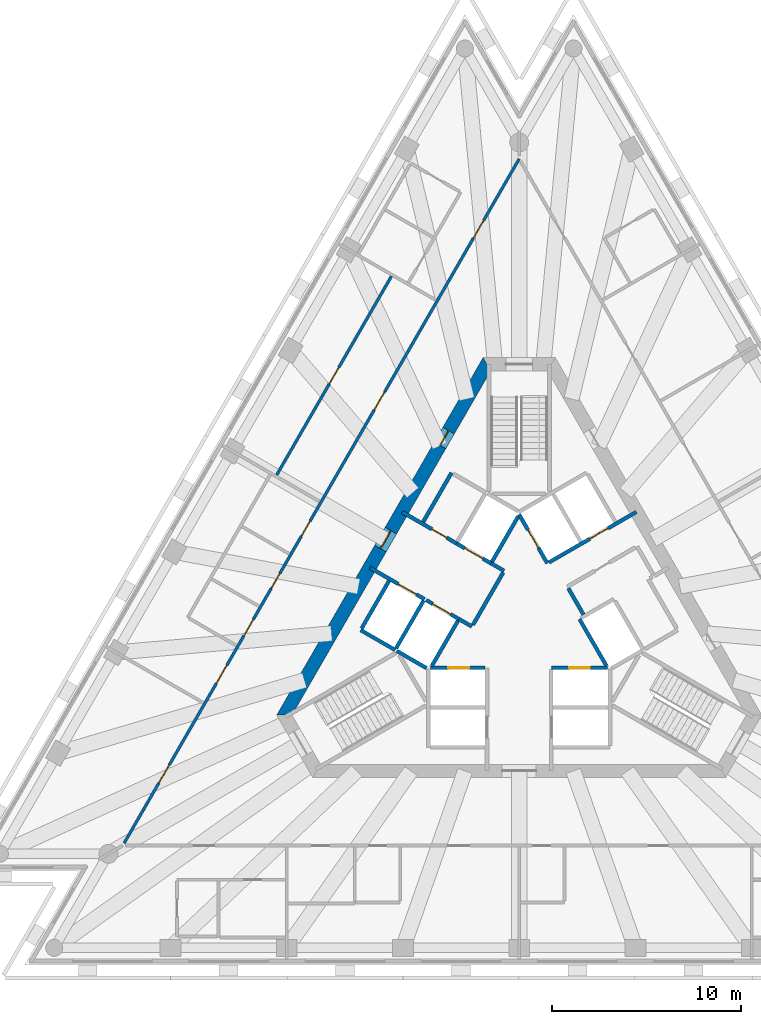
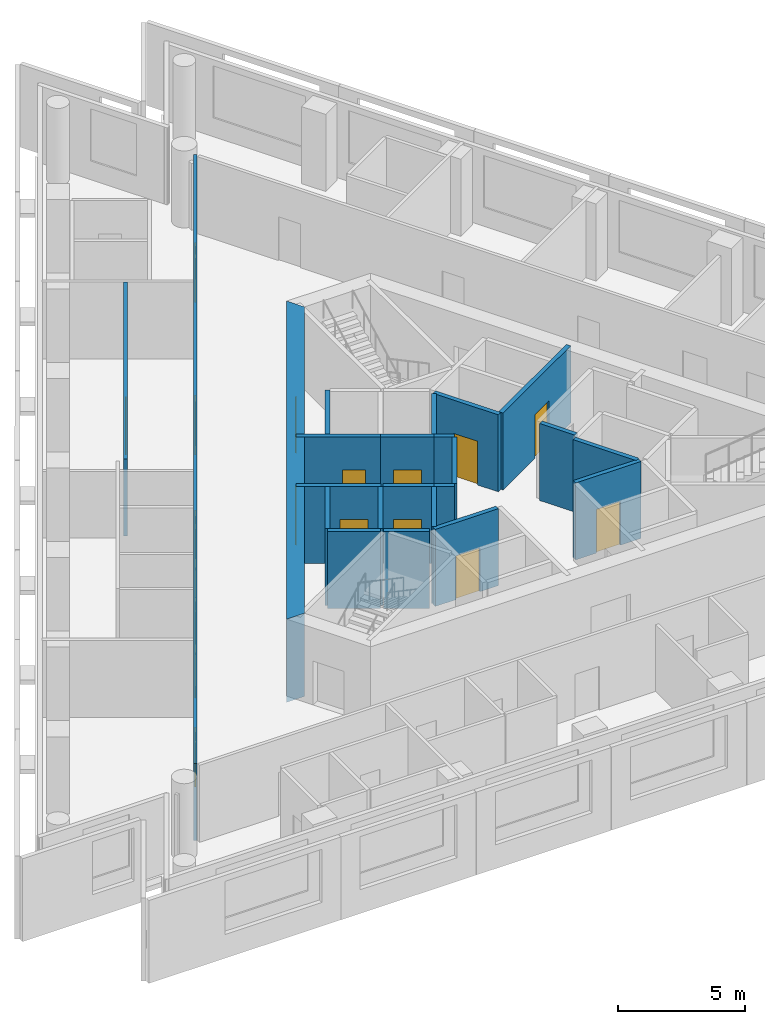
# One storey, part 4 of 9: 23 walls, 18 doors, 18 openings.
"""IFC4 building model written with IfcOpenShell, lengths in metres."""

from ifc_helpers import new_model, si_unit, direction, frame, frame_2d, origin, place, context, subcontext, project, spatial, polyline, rectangle, outline, extrude, material, layer, layer_set, type_object, element, fill, save


model = new_model("IFC4")

# Units and contexts
model_context = context("Model", 3, precision=1e-05, world=origin(), true_north=direction((0.0, 1.0)))
body_context = subcontext(model_context, "Body", "Model", "MODEL_VIEW")
ifc_project = project(units=[si_unit("LENGTHUNIT", "METRE"), si_unit("AREAUNIT", "SQUARE_METRE"), si_unit("VOLUMEUNIT", "CUBIC_METRE"), si_unit("PLANEANGLEUNIT", "RADIAN"), si_unit("MASSUNIT", "GRAM", prefix="KILO")], contexts=[model_context])

# Site, building, storey
site_placement = place(None, origin())
site = spatial("IfcSite", under=ifc_project, at=site_placement, CompositionType="ELEMENT")
building_placement = place(site_placement, origin())
building = spatial("IfcBuilding", under=site, at=building_placement, Name="Triada Interchange Tower", CompositionType="ELEMENT")
storey_placement = place(building_placement, frame((0.0, 0.0, 211.300048828125)))
storey = spatial("IfcBuildingStorey", under=building, at=storey_placement, Name="L49", CompositionType="ELEMENT", Elevation=211.300048828125)

# Walls
ifc_material_1 = material(Name="Concrete C30/37", Category="concrete")
ifc_layer_1 = layer(ifc_material_1, 0.199951171875)
ifc_layer_set_1 = layer_set([ifc_layer_1], Name="CORE WALL 200 EI 120")
wall_type_1 = type_object("IfcWallType", Name="CORE WALL 200 EI 120", PredefinedType="SOLIDWALL", material=ifc_layer_set_1)
wall_1_placement = place(storey_placement, frame((-8.3759765625, -0.70703125, 0.0), z_axis=(0.0, 0.0, 1.0), x_axis=(0.866067520717, -0.499927044236, 0.0)))
element("IfcWall", 1, at=wall_1_placement, inside=storey, type_object=wall_type_1, Name="Wall L47 53", PredefinedType="SOLIDWALL", context=body_context, shape_type="SweptSolid", body=[
    extrude(rectangle(XDim=2.100341796875, YDim=0.199951171875, at=frame_2d((1.05029296875, 0.0))), origin(), (0.0, 0.0, 1.0), 3.699951171875),
])
wall_2_placement = place(storey_placement, frame((-8.325927734375, -0.6201171875, 0.0), z_axis=(0.0, 0.0, 1.0), x_axis=(0.500023687443, 0.866011727401, 0.0)))
element("IfcWall", 2, at=wall_2_placement, inside=storey, type_object=wall_type_1, Name="Wall L47 54", PredefinedType="SOLIDWALL", context=body_context, shape_type="SweptSolid", body=[
    extrude(rectangle(XDim=2.899658203125, YDim=0.199951171875, at=frame_2d((1.44970703125, 0.0))), origin(), (0.0, 0.0, 1.0), 3.699951171875),
])

# Wall, opening, door
wall_3_placement = place(storey_placement, frame((-4.676025390625, -2.699951171875, 0.0), z_axis=(0.0, 0.0, 1.0), x_axis=(1.0, 0.0, 0.0)))
wall_3 = element("IfcWall", 3, at=wall_3_placement, inside=storey, type_object=wall_type_1, Name="Wall L47 61", PredefinedType="SOLIDWALL", context=body_context, shape_type="SweptSolid", body=[
    extrude(rectangle(XDim=2.873046875, YDim=0.199951171875, at=frame_2d((1.4365234375, 0.0))), origin(), (0.0, 0.0, 1.0), 3.699951171875),
])
opening_1_placement = place(wall_3_placement, frame((0.93701171875, 0.0, 0.0)))
opening_1 = element("IfcOpeningElement", 4, at=opening_1_placement, cuts=wall_3, Name="Opening LD-HR3", PredefinedType="OPENING", context=body_context, shape_type="SweptSolid", body=[
    extrude(rectangle(XDim=1.10009765625, YDim=2.10009765625, at=frame_2d((0.550048828125, 1.050048828125))), frame((0.0, 0.10986328125, 0.0), z_axis=(0.0, -1.0, 0.0), x_axis=(1.0, 0.0, 0.0)), (0.0, 0.0, 1.0), 0.219970703125),
])
ifc_material_2 = material(Name="Steel S235 door leaf", Category="steel")
door_type_1 = type_object("IfcDoorType", Name="LIFT LANDING DOOR 1100 EI 120", OperationType="SLIDING_TO_LEFT", PredefinedType="DOOR", material=ifc_material_2)
door_1_placement = place(opening_1_placement, origin())
door_1 = element("IfcDoor", 5, at=door_1_placement, inside=storey, type_object=door_type_1, Name="HR3 landing door L49", OperationType="SLIDING_TO_LEFT", OverallHeight=2.10009765625, OverallWidth=1.10009765625, PredefinedType="DOOR", context=body_context, shape_type="SweptSolid", body=[
    extrude(rectangle(XDim=1.10009765625, YDim=2.10009765625, at=frame_2d((0.550048828125, 1.050048828125))), frame((0.0, 0.02490234375, 0.0), z_axis=(0.0, -1.0, 0.0), x_axis=(1.0, 0.0, 0.0)), (0.0, 0.0, 1.0), 0.050048828125),
])
fill(opening_1, door_1)

wall_4_placement = place(storey_placement, frame((1.702880859375, -2.699951171875, 0.0), z_axis=(0.0, 0.0, 1.0), x_axis=(1.0, 0.0, 0.0)))
wall_4 = element("IfcWall", 6, at=wall_4_placement, inside=storey, type_object=wall_type_1, Name="Wall L47 62", PredefinedType="SOLIDWALL", context=body_context, shape_type="SweptSolid", body=[
    extrude(rectangle(XDim=2.97314453125, YDim=0.199951171875, at=frame_2d((1.486572265625, 0.0))), origin(), (0.0, 0.0, 1.0), 3.699951171875),
])
opening_2_placement = place(wall_4_placement, frame((0.93603515625, 0.0, 0.0)))
opening_2 = element("IfcOpeningElement", 7, at=opening_2_placement, cuts=wall_4, Name="Opening LD-HR1", PredefinedType="OPENING", context=body_context, shape_type="SweptSolid", body=[
    extrude(rectangle(XDim=1.10009765625, YDim=2.10009765625, at=frame_2d((0.550048828125, 1.050048828125))), frame((0.0, 0.10986328125, 0.0), z_axis=(0.0, -1.0, 0.0), x_axis=(1.0, 0.0, 0.0)), (0.0, 0.0, 1.0), 0.219970703125),
])
door_2_placement = place(opening_2_placement, origin())
door_2 = element("IfcDoor", 8, at=door_2_placement, inside=storey, type_object=door_type_1, Name="HR1 landing door L49", OperationType="SLIDING_TO_LEFT", OverallHeight=2.10009765625, OverallWidth=1.10009765625, PredefinedType="DOOR", context=body_context, shape_type="SweptSolid", body=[
    extrude(rectangle(XDim=1.10009765625, YDim=2.10009765625, at=frame_2d((0.550048828125, 1.050048828125))), frame((0.0, 0.02490234375, 0.0), z_axis=(0.0, -1.0, 0.0), x_axis=(1.0, 0.0, 0.0)), (0.0, 0.0, 1.0), 0.050048828125),
])
fill(opening_2, door_2)

wall_5_placement = place(storey_placement, frame((0.0, 5.39990234375, 0.0), z_axis=(0.0, 0.0, 1.0), x_axis=(0.500103862429, -0.865965430478, 0.0)))
wall_5 = element("IfcWall", 9, at=wall_5_placement, inside=storey, type_object=wall_type_1, Name="Wall L47 64", PredefinedType="SOLIDWALL", context=body_context, shape_type="SweptSolid", body=[
    extrude(rectangle(XDim=2.973388671875, YDim=0.199951171875, at=frame_2d((1.48681640625, 0.0))), origin(), (0.0, 0.0, 1.0), 3.699951171875),
])
opening_3_placement = place(wall_5_placement, frame((0.93701171875, 0.0, 0.0)))
opening_3 = element("IfcOpeningElement", 10, at=opening_3_placement, cuts=wall_5, Name="Opening LD-HR5", PredefinedType="OPENING", context=body_context, shape_type="SweptSolid", body=[
    extrude(rectangle(XDim=1.10009765625, YDim=2.10009765625, at=frame_2d((0.550048828125, 1.050048828125))), frame((0.0, 0.10986328125, 0.0), z_axis=(0.0, -1.0, 0.0), x_axis=(1.0, 0.0, 0.0)), (0.0, 0.0, 1.0), 0.219970703125),
])
door_3_placement = place(opening_3_placement, origin())
door_3 = element("IfcDoor", 11, at=door_3_placement, inside=storey, type_object=door_type_1, Name="HR5 landing door L49", OperationType="SLIDING_TO_LEFT", OverallHeight=2.10009765625, OverallWidth=1.10009765625, PredefinedType="DOOR", context=body_context, shape_type="SweptSolid", body=[
    extrude(rectangle(XDim=1.10009765625, YDim=2.10009765625, at=frame_2d((0.550048828125, 1.050048828125))), frame((0.0, 0.02490234375, 0.0), z_axis=(0.0, -1.0, 0.0), x_axis=(1.0, 0.0, 0.0)), (0.0, 0.0, 1.0), 0.050048828125),
])
fill(opening_3, door_3)

# Wall
wall_6_placement = place(storey_placement, frame((3.18994140625, -0.125, 0.0), z_axis=(0.0, 0.0, 1.0), x_axis=(0.499988658015, -0.866031951983, 0.0)))
element("IfcWall", 12, at=wall_6_placement, inside=storey, type_object=wall_type_1, Name="Wall L47 65", PredefinedType="SOLIDWALL", context=body_context, shape_type="SweptSolid", body=[
    extrude(rectangle(XDim=2.85791015625, YDim=0.199951171875, at=frame_2d((1.428955078125, 0.0))), origin(), (0.0, 0.0, 1.0), 3.699951171875),
])

# Wall, opening, door
wall_7_placement = place(storey_placement, frame((1.577880859375, 2.8740234375, 0.0), z_axis=(0.0, 0.0, 1.0), x_axis=(0.866045911672, 0.499964477614, 0.0)))
wall_7 = element("IfcWall", 13, at=wall_7_placement, inside=storey, type_object=wall_type_1, Name="Wall L47 66", PredefinedType="SOLIDWALL", context=body_context, shape_type="SweptSolid", body=[
    extrude(rectangle(XDim=5.32666015625, YDim=0.199951171875, at=frame_2d((2.663330078125, 0.0))), origin(), (0.0, 0.0, 1.0), 3.699951171875),
])
opening_4_placement = place(wall_7_placement, frame((2.49609375, 0.0, 0.0)))
opening_4 = element("IfcOpeningElement", 14, at=opening_4_placement, cuts=wall_7, Name="Opening LD-HR6", PredefinedType="OPENING", context=body_context, shape_type="SweptSolid", body=[
    extrude(rectangle(XDim=1.10009765625, YDim=2.10009765625, at=frame_2d((0.550048828125, 1.050048828125))), frame((0.0, 0.10986328125, 0.0), z_axis=(0.0, -1.0, 0.0), x_axis=(1.0, 0.0, 0.0)), (0.0, 0.0, 1.0), 0.219970703125),
])
door_4_placement = place(opening_4_placement, origin())
door_4 = element("IfcDoor", 15, at=door_4_placement, inside=storey, type_object=door_type_1, Name="HR6 landing door L49", OperationType="SLIDING_TO_LEFT", OverallHeight=2.10009765625, OverallWidth=1.10009765625, PredefinedType="DOOR", context=body_context, shape_type="SweptSolid", body=[
    extrude(rectangle(XDim=1.10009765625, YDim=2.10009765625, at=frame_2d((0.550048828125, 1.050048828125))), frame((0.0, 0.02490234375, 0.0), z_axis=(0.0, -1.0, 0.0), x_axis=(1.0, 0.0, 0.0)), (0.0, 0.0, 1.0), 0.050048828125),
])
fill(opening_4, door_4)

# Wall
wall_8_placement = place(storey_placement, frame((2.597900390625, 1.5, 0.0), z_axis=(0.0, 0.0, 1.0), x_axis=(0.499929347863, -0.866066190972, 0.0)))
element("IfcWall", 16, at=wall_8_placement, inside=storey, type_object=wall_type_1, Name="Wall L47 77", PredefinedType="SOLIDWALL", context=body_context, shape_type="SweptSolid", body=[
    extrude(rectangle(XDim=1.600341796875, YDim=0.199951171875, at=frame_2d((0.80029296875, 0.0))), origin(), (0.0, 0.0, 1.0), 3.699951171875),
])

# Wall, opening, door
ifc_layer_2 = layer(ifc_material_1, 0.199951171875)
ifc_layer_set_2 = layer_set([ifc_layer_2], Name="CORE WALL 200 EI 180")
wall_type_2 = type_object("IfcWallType", Name="CORE WALL 200 EI 180", PredefinedType="SOLIDWALL", material=ifc_layer_set_2)
wall_9_placement = place(storey_placement, frame((-7.89111328125, 2.593017578125, 0.0), z_axis=(0.0, 0.0, 1.0), x_axis=(0.866070917804, -0.499921159118, 0.0)))
wall_9 = element("IfcWall", 17, at=wall_9_placement, inside=storey, type_object=wall_type_2, Name="Wall L47 78", PredefinedType="SOLIDWALL", context=body_context, shape_type="SweptSolid", body=[
    extrude(rectangle(XDim=3.33251953125, YDim=0.199951171875, at=frame_2d((1.666259765625, 0.0))), origin(), (0.0, 0.0, 1.0), 3.699951171875),
])
opening_5_placement = place(wall_9_placement, frame((1.72998046875, 0.0, 0.0)))
opening_5 = element("IfcOpeningElement", 18, at=opening_5_placement, cuts=wall_9, Name="Opening LD-SV1", PredefinedType="OPENING", context=body_context, shape_type="SweptSolid", body=[
    extrude(rectangle(XDim=1.10009765625, YDim=2.10009765625, at=frame_2d((0.550048828125, 1.050048828125))), frame((0.0, 0.10986328125, 0.0), z_axis=(0.0, -1.0, 0.0), x_axis=(1.0, 0.0, 0.0)), (0.0, 0.0, 1.0), 0.219970703125),
])
door_5_placement = place(opening_5_placement, origin())
door_5 = element("IfcDoor", 19, at=door_5_placement, inside=storey, type_object=door_type_1, Name="SV1 landing door L49", OperationType="SLIDING_TO_LEFT", OverallHeight=2.10009765625, OverallWidth=1.10009765625, PredefinedType="DOOR", context=body_context, shape_type="SweptSolid", body=[
    extrude(rectangle(XDim=1.10009765625, YDim=2.10009765625, at=frame_2d((0.550048828125, 1.050048828125))), frame((0.0, 0.02490234375, 0.0), z_axis=(0.0, -1.0, 0.0), x_axis=(1.0, 0.0, 0.0)), (0.0, 0.0, 1.0), 0.050048828125),
])
fill(opening_5, door_5)

# Wall
wall_10_placement = place(storey_placement, frame((-3.18798828125, -0.1220703125, 0.0), z_axis=(0.0, 0.0, 1.0), x_axis=(0.865705793592, -0.50055317294, 0.0)))
element("IfcWall", 20, at=wall_10_placement, inside=storey, type_object=wall_type_2, Name="Wall L47 79", PredefinedType="SOLIDWALL", context=body_context, shape_type="SweptSolid", body=[
    extrude(rectangle(XDim=0.796875, YDim=0.199951171875, at=frame_2d((0.3984375, 0.0))), origin(), (0.0, 0.0, 1.0), 3.699951171875),
])

# Wall, opening, door
wall_11_placement = place(storey_placement, frame((-6.19091796875, 5.537109375, 0.0), z_axis=(0.0, 0.0, 1.0), x_axis=(0.866052607023, -0.499952879648, 0.0)))
wall_11 = element("IfcWall", 21, at=wall_11_placement, inside=storey, type_object=wall_type_2, Name="Wall L47 80", PredefinedType="SOLIDWALL", context=body_context, shape_type="SweptSolid", body=[
    extrude(rectangle(XDim=3.332275390625, YDim=0.199951171875, at=frame_2d((1.666015625, 0.0))), origin(), (0.0, 0.0, 1.0), 3.699951171875),
])
opening_6_placement = place(wall_11_placement, frame((1.830078125, 0.0, 0.0)))
opening_6 = element("IfcOpeningElement", 22, at=opening_6_placement, cuts=wall_11, Name="Opening D47-10", PredefinedType="OPENING", context=body_context, shape_type="SweptSolid", body=[
    extrude(rectangle(XDim=0.89990234375, YDim=2.10009765625, at=frame_2d((0.449951171875, 1.050048828125))), frame((0.0, 0.10986328125, 0.0), z_axis=(0.0, -1.0, 0.0), x_axis=(1.0, 0.0, 0.0)), (0.0, 0.0, 1.0), 0.219970703125),
])
door_type_2 = type_object("IfcDoorType", Name="SERVICE DOOR 900 EI2 90-C5S200", OperationType="NOTDEFINED", PredefinedType="DOOR", material=ifc_material_2)
door_6_placement = place(opening_6_placement, origin())
door_6 = element("IfcDoor", 23, at=door_6_placement, inside=storey, type_object=door_type_2, Name="Door D47-10 L49", OperationType="SINGLE_SWING_LEFT", OverallHeight=2.10009765625, OverallWidth=0.89990234375, PredefinedType="DOOR", context=body_context, shape_type="SweptSolid", body=[
    extrude(rectangle(XDim=0.89990234375, YDim=2.10009765625, at=frame_2d((0.449951171875, 1.050048828125))), frame((0.0, 0.02490234375, 0.0), z_axis=(0.0, -1.0, 0.0), x_axis=(1.0, 0.0, 0.0)), (0.0, 0.0, 1.0), 0.050048828125),
])
fill(opening_6, door_6)

# Walls
wall_12_placement = place(storey_placement, frame((-1.488037109375, 2.822021484375, 0.0), z_axis=(0.0, 0.0, 1.0), x_axis=(0.866236612152, -0.499633997809, 0.0)))
element("IfcWall", 24, at=wall_12_placement, inside=storey, type_object=wall_type_2, Name="Wall L47 81", PredefinedType="SOLIDWALL", context=body_context, shape_type="SweptSolid", body=[
    extrude(rectangle(XDim=0.79638671875, YDim=0.199951171875, at=frame_2d((0.398193359375, 0.0))), origin(), (0.0, 0.0, 1.0), 3.699951171875),
])
wall_13_placement = place(storey_placement, frame((-5.075927734375, 5.009033203125, 0.0), z_axis=(0.0, 0.0, 1.0), x_axis=(0.50002537861, 0.866010750942, 0.0)))
element("IfcWall", 25, at=wall_13_placement, inside=storey, type_object=wall_type_2, Name="Wall L47 82", PredefinedType="SOLIDWALL", context=body_context, shape_type="SweptSolid", body=[
    extrude(rectangle(XDim=2.999755859375, YDim=0.199951171875, at=frame_2d((1.5, 0.0))), origin(), (0.0, 0.0, 1.0), 3.699951171875),
])
wall_14_placement = place(storey_placement, frame((-2.444091796875, -0.43310546875, 0.0), z_axis=(0.0, 0.0, 1.0), x_axis=(0.500035624827, 0.866004834804, 0.0)))
element("IfcWall", 26, at=wall_14_placement, inside=storey, type_object=wall_type_2, Name="Wall L47 84", PredefinedType="SOLIDWALL", context=body_context, shape_type="SweptSolid", body=[
    extrude(rectangle(XDim=3.194091796875, YDim=0.199951171875, at=frame_2d((1.59716796875, 0.0))), origin(), (0.0, 0.0, 1.0), 3.699951171875),
])
wall_15_placement = place(storey_placement, frame((-6.507080078125, -1.669921875, 0.0), z_axis=(0.0, 0.0, 1.0), x_axis=(0.50012328804, 0.865954211699, 0.0)))
element("IfcWall", 27, at=wall_15_placement, inside=storey, type_object=wall_type_2, Name="Shaft wall FF1 L47 85", PredefinedType="SOLIDWALL", context=body_context, shape_type="SweptSolid", body=[
    extrude(rectangle(XDim=2.899658203125, YDim=0.199951171875, at=frame_2d((1.44970703125, 0.0))), origin(), (0.0, 0.0, 1.0), 3.699951171875),
])
wall_16_placement = place(storey_placement, frame((-6.469970703125, -1.806884765625, 0.0), z_axis=(0.0, 0.0, 1.0), x_axis=(0.865883195159, -0.500246231712, 0.0)))
element("IfcWall", 28, at=wall_16_placement, inside=storey, type_object=wall_type_2, Name="Shaft wall FF1 L47 86", PredefinedType="SOLIDWALL", context=body_context, shape_type="SweptSolid", body=[
    extrude(rectangle(XDim=1.8154296875, YDim=0.199951171875, at=frame_2d((0.90771484375, 0.0))), origin(), (0.0, 0.0, 1.0), 3.699951171875),
])

# Wall, opening, door
wall_17_placement = place(storey_placement, frame((-4.922119140625, 0.87890625, 0.0), z_axis=(0.0, 0.0, 1.0), x_axis=(0.866073918653, -0.499915960366, 0.0)))
wall_17 = element("IfcWall", 29, at=wall_17_placement, inside=storey, type_object=wall_type_2, Name="Shaft wall FF1 L47 87", PredefinedType="SOLIDWALL", context=body_context, shape_type="SweptSolid", body=[
    extrude(rectangle(XDim=2.002197265625, YDim=0.199951171875, at=frame_2d((1.0009765625, 0.0))), origin(), (0.0, 0.0, 1.0), 3.699951171875),
])
opening_7_placement = place(wall_17_placement, frame((0.402099609375, 0.0, 0.0)))
opening_7 = element("IfcOpeningElement", 30, at=opening_7_placement, cuts=wall_17, Name="Opening LD-FF1", PredefinedType="OPENING", context=body_context, shape_type="SweptSolid", body=[
    extrude(rectangle(XDim=1.10009765625, YDim=2.10009765625, at=frame_2d((0.550048828125, 1.050048828125))), frame((0.0, 0.10986328125, 0.0), z_axis=(0.0, -1.0, 0.0), x_axis=(1.0, 0.0, 0.0)), (0.0, 0.0, 1.0), 0.219970703125),
])
door_7_placement = place(opening_7_placement, origin())
door_7 = element("IfcDoor", 31, at=door_7_placement, inside=storey, type_object=door_type_1, Name="FF1 landing door L49", OperationType="SLIDING_TO_LEFT", OverallHeight=2.10009765625, OverallWidth=1.10009765625, PredefinedType="DOOR", context=body_context, shape_type="SweptSolid", body=[
    extrude(rectangle(XDim=1.10009765625, YDim=2.10009765625, at=frame_2d((0.550048828125, 1.050048828125))), frame((0.0, 0.02490234375, 0.0), z_axis=(0.0, -1.0, 0.0), x_axis=(1.0, 0.0, 0.0)), (0.0, 0.0, 1.0), 0.050048828125),
])
fill(opening_7, door_7)

# Wall
wall_18_placement = place(storey_placement, frame((-4.618896484375, -2.60009765625, 0.0), z_axis=(0.0, 0.0, 1.0), x_axis=(0.50009492287, 0.865970593103, 0.0)))
element("IfcWall", 32, at=wall_18_placement, inside=storey, type_object=wall_type_2, Name="Shaft wall FF1 L47 88", PredefinedType="SOLIDWALL", context=body_context, shape_type="SweptSolid", body=[
    extrude(rectangle(XDim=2.76123046875, YDim=0.199951171875, at=frame_2d((1.380615234375, 0.0))), origin(), (0.0, 0.0, 1.0), 3.699951171875),
])

# Wall, opening, door
wall_19_placement = place(storey_placement, frame((-3.30908203125, 3.873046875, 0.0), z_axis=(0.0, 0.0, 1.0), x_axis=(0.866098583652, -0.499873227325, 0.0)))
wall_19 = element("IfcWall", 33, at=wall_19_placement, inside=storey, type_object=wall_type_2, Name="Shaft wall FF2 L47 89", PredefinedType="SOLIDWALL", context=body_context, shape_type="SweptSolid", body=[
    extrude(rectangle(XDim=2.1025390625, YDim=0.199951171875, at=frame_2d((1.05126953125, 0.0))), origin(), (0.0, 0.0, 1.0), 3.699951171875),
])
opening_8_placement = place(wall_19_placement, frame((0.501953125, 0.0, 0.0)))
opening_8 = element("IfcOpeningElement", 34, at=opening_8_placement, cuts=wall_19, Name="Opening LD-FF2", PredefinedType="OPENING", context=body_context, shape_type="SweptSolid", body=[
    extrude(rectangle(XDim=1.10009765625, YDim=2.10009765625, at=frame_2d((0.550048828125, 1.050048828125))), frame((0.0, 0.10986328125, 0.0), z_axis=(0.0, -1.0, 0.0), x_axis=(1.0, 0.0, 0.0)), (0.0, 0.0, 1.0), 0.219970703125),
])
door_8_placement = place(opening_8_placement, origin())
door_8 = element("IfcDoor", 35, at=door_8_placement, inside=storey, type_object=door_type_1, Name="FF2 landing door L49", OperationType="SLIDING_TO_LEFT", OverallHeight=2.10009765625, OverallWidth=1.10009765625, PredefinedType="DOOR", context=body_context, shape_type="SweptSolid", body=[
    extrude(rectangle(XDim=1.10009765625, YDim=2.10009765625, at=frame_2d((0.550048828125, 1.050048828125))), frame((0.0, 0.02490234375, 0.0), z_axis=(0.0, -1.0, 0.0), x_axis=(1.0, 0.0, 0.0)), (0.0, 0.0, 1.0), 0.050048828125),
])
fill(opening_8, door_8)

# Wall
wall_20_placement = place(storey_placement, frame((-1.43798828125, 2.908935546875, 0.0), z_axis=(0.0, 0.0, 1.0), x_axis=(0.499829630636, 0.866123744241, 0.0)))
element("IfcWall", 36, at=wall_20_placement, inside=storey, type_object=wall_type_2, Name="Shaft wall FF2 L47 92", PredefinedType="SOLIDWALL", context=body_context, shape_type="SweptSolid", body=[
    extrude(rectangle(XDim=2.7607421875, YDim=0.199951171875, at=frame_2d((1.38037109375, 0.0))), origin(), (0.0, 0.0, 1.0), 3.699951171875),
])

# Wall, openings, doors
ifc_material_3 = material(Name="Concrete C50/60", Category="concrete")
ifc_layer_3 = layer(ifc_material_3, 0.699951171875)
ifc_layer_set_3 = layer_set([ifc_layer_3], Name="Core wall C 700")
wall_type_3 = type_object("IfcWallType", Name="Core wall C 700", PredefinedType="SHEAR", material=ifc_layer_set_3)
wall_21_placement = place(storey_placement, frame((-1.702880859375, 13.35009765625, -0.300048828125), z_axis=(0.0, 0.0, 1.0), x_axis=(-0.500011533395, -0.866018744874, 0.0)))
wall_21 = element("IfcWall", 37, at=wall_21_placement, inside=storey, type_object=wall_type_3, Name="Core wall WC02 L49", PredefinedType="SHEAR", context=body_context, shape_type="SweptSolid", body=[
    extrude(outline(polyline([(-0.201904296875, -0.35009765625), (1.781982421875, -0.35009765625), (3.76611328125, -0.35009765625), (5.75, -0.35009765625), (7.734130859375, -0.35009765625), (9.718017578125, -0.35009765625), (11.7021484375, -0.35009765625), (13.68603515625, -0.35009765625), (15.670166015625, -0.35009765625), (17.654052734375, -0.35009765625), (19.63818359375, -0.35009765625), (21.6220703125, -0.35009765625), (21.218017578125, 0.35009765625), (19.307373046875, 0.35009765625), (17.39697265625, 0.35009765625), (15.486328125, 0.35009765625), (13.57568359375, 0.35009765625), (11.665283203125, 0.35009765625), (9.754638671875, 0.35009765625), (7.84423828125, 0.35009765625), (5.93359375, 0.35009765625), (4.02294921875, 0.35009765625), (2.112548828125, 0.35009765625), (0.201904296875, 0.35009765625), (-0.201904296875, -0.35009765625)])), origin(), (0.0, 0.0, 1.0), 4.0),
])
opening_9_placement = place(wall_21_placement, frame((10.159912109375, 0.0, 0.300048828125)))
opening_9 = element("IfcOpeningElement", 38, at=opening_9_placement, cuts=wall_21, Name="Opening D47-47", PredefinedType="OPENING", context=body_context, shape_type="SweptSolid", body=[
    extrude(rectangle(XDim=1.10009765625, YDim=2.10009765625, at=frame_2d((0.550048828125, 1.050048828125))), frame((0.0, 0.360107421875, 0.0), z_axis=(0.0, -1.0, 0.0), x_axis=(1.0, 0.0, 0.0)), (0.0, 0.0, 1.0), 0.72021484375),
])
opening_10_placement = place(wall_21_placement, frame((4.054931640625, 0.0, 0.300048828125)))
opening_10 = element("IfcOpeningElement", 39, at=opening_10_placement, cuts=wall_21, Name="Opening D47-49", PredefinedType="OPENING", context=body_context, shape_type="SweptSolid", body=[
    extrude(rectangle(XDim=0.89990234375, YDim=2.10009765625, at=frame_2d((0.449951171875, 1.050048828125))), frame((0.0, 0.360107421875, 0.0), z_axis=(0.0, -1.0, 0.0), x_axis=(1.0, 0.0, 0.0)), (0.0, 0.0, 1.0), 0.72021484375),
])
door_type_3 = type_object("IfcDoorType", Name="FIRE LOBBY DOOR 1100 EI2 90-C5S200", OperationType="NOTDEFINED", PredefinedType="DOOR", material=ifc_material_2)
door_9_placement = place(opening_9_placement, origin())
door_9 = element("IfcDoor", 40, at=door_9_placement, inside=storey, type_object=door_type_3, Name="Door D47-47 L49", OperationType="SINGLE_SWING_RIGHT", OverallHeight=2.10009765625, OverallWidth=1.10009765625, PredefinedType="DOOR", context=body_context, shape_type="SweptSolid", body=[
    extrude(rectangle(XDim=1.10009765625, YDim=2.10009765625, at=frame_2d((0.550048828125, 1.050048828125))), frame((0.0, 0.02490234375, 0.0), z_axis=(0.0, -1.0, 0.0), x_axis=(1.0, 0.0, 0.0)), (0.0, 0.0, 1.0), 0.050048828125),
])
fill(opening_9, door_9)
door_type_4 = type_object("IfcDoorType", Name="SERVICE DOOR 900 EI2 45-C5S200", OperationType="NOTDEFINED", PredefinedType="DOOR", material=ifc_material_2)
door_10_placement = place(opening_10_placement, origin())
door_10 = element("IfcDoor", 41, at=door_10_placement, inside=storey, type_object=door_type_4, Name="Door D47-49 L49", OperationType="SINGLE_SWING_RIGHT", OverallHeight=2.10009765625, OverallWidth=0.89990234375, PredefinedType="DOOR", context=body_context, shape_type="SweptSolid", body=[
    extrude(rectangle(XDim=0.89990234375, YDim=2.10009765625, at=frame_2d((0.449951171875, 1.050048828125))), frame((0.0, 0.02490234375, 0.0), z_axis=(0.0, -1.0, 0.0), x_axis=(1.0, 0.0, 0.0)), (0.0, 0.0, 1.0), 0.050048828125),
])
fill(opening_10, door_10)

ifc_material_4 = material(Name="Gypsum board partition")
ifc_layer_4 = layer(ifc_material_4, 0.14990234375)
ifc_layer_set_4 = layer_set([ifc_layer_4], Name="PARTITION 150 EI 180")
wall_type_4 = type_object("IfcWallType", Name="PARTITION 150 EI 180", PredefinedType="PARTITIONING", material=ifc_layer_set_4)
wall_22_placement = place(storey_placement, frame((-20.883056640625, -11.969970703125, 0.0), z_axis=(0.0, 0.0, 1.0), x_axis=(0.500006150555, 0.866021852731, 0.0)))
wall_22 = element("IfcWall", 42, at=wall_22_placement, inside=storey, type_object=wall_type_4, Name="Wall L47 4", PredefinedType="PARTITIONING", context=body_context, shape_type="SweptSolid", body=[
    extrude(rectangle(XDim=41.765625, YDim=0.14990234375, at=frame_2d((20.8828125, 0.0))), origin(), (0.0, 0.0, 1.0), 3.699951171875),
])
opening_11_placement = place(wall_22_placement, frame((36.916015625, 0.0, 0.0)))
opening_11 = element("IfcOpeningElement", 43, at=opening_11_placement, cuts=wall_22, Name="Opening D47-33", PredefinedType="OPENING", context=body_context, shape_type="SweptSolid", body=[
    extrude(rectangle(XDim=1.10009765625, YDim=2.10009765625, at=frame_2d((0.550048828125, 1.050048828125))), frame((0.0, 0.0849609375, 0.0), z_axis=(0.0, -1.0, 0.0), x_axis=(1.0, 0.0, 0.0)), (0.0, 0.0, 1.0), 0.169921875),
])
opening_12_placement = place(wall_22_placement, frame((26.446044921875, 0.0, 0.0)))
opening_12 = element("IfcOpeningElement", 44, at=opening_12_placement, cuts=wall_22, Name="Opening D47-36", PredefinedType="OPENING", context=body_context, shape_type="SweptSolid", body=[
    extrude(rectangle(XDim=1.10009765625, YDim=2.10009765625, at=frame_2d((0.550048828125, 1.050048828125))), frame((0.0, 0.0849609375, 0.0), z_axis=(0.0, -1.0, 0.0), x_axis=(1.0, 0.0, 0.0)), (0.0, 0.0, 1.0), 0.169921875),
])
opening_13_placement = place(wall_22_placement, frame((9.757080078125, 0.0, 0.0)))
opening_13 = element("IfcOpeningElement", 45, at=opening_13_placement, cuts=wall_22, Name="Opening D47-38", PredefinedType="OPENING", context=body_context, shape_type="SweptSolid", body=[
    extrude(rectangle(XDim=1.10009765625, YDim=2.10009765625, at=frame_2d((0.550048828125, 1.050048828125))), frame((0.0, 0.0849609375, 0.0), z_axis=(0.0, -1.0, 0.0), x_axis=(1.0, 0.0, 0.0)), (0.0, 0.0, 1.0), 0.169921875),
])
opening_14_placement = place(wall_22_placement, frame((18.757080078125, 0.0, 0.0)))
opening_14 = element("IfcOpeningElement", 46, at=opening_14_placement, cuts=wall_22, Name="Opening D47-39", PredefinedType="OPENING", context=body_context, shape_type="SweptSolid", body=[
    extrude(rectangle(XDim=0.89990234375, YDim=2.10009765625, at=frame_2d((0.449951171875, 1.050048828125))), frame((0.0, 0.0849609375, 0.0), z_axis=(0.0, -1.0, 0.0), x_axis=(1.0, 0.0, 0.0)), (0.0, 0.0, 1.0), 0.169921875),
])
opening_15_placement = place(wall_22_placement, frame((15.556884765625, 0.0, 0.0)))
opening_15 = element("IfcOpeningElement", 47, at=opening_15_placement, cuts=wall_22, Name="Opening D47-40", PredefinedType="OPENING", context=body_context, shape_type="SweptSolid", body=[
    extrude(rectangle(XDim=0.89990234375, YDim=2.10009765625, at=frame_2d((0.449951171875, 1.050048828125))), frame((0.0, 0.0849609375, 0.0), z_axis=(0.0, -1.0, 0.0), x_axis=(1.0, 0.0, 0.0)), (0.0, 0.0, 1.0), 0.169921875),
])
opening_16_placement = place(wall_22_placement, frame((12.656982421875, 0.0, 0.0)))
opening_16 = element("IfcOpeningElement", 48, at=opening_16_placement, cuts=wall_22, Name="Opening D47-41", PredefinedType="OPENING", context=body_context, shape_type="SweptSolid", body=[
    extrude(rectangle(XDim=1.0, YDim=2.10009765625, at=frame_2d((0.5, 1.050048828125))), frame((0.0, 0.0849609375, 0.0), z_axis=(0.0, -1.0, 0.0), x_axis=(1.0, 0.0, 0.0)), (0.0, 0.0, 1.0), 0.169921875),
])
opening_17_placement = place(wall_22_placement, frame((3.6689453125, 0.0, 0.0)))
opening_17 = element("IfcOpeningElement", 49, at=opening_17_placement, cuts=wall_22, Name="Opening D47-42", PredefinedType="OPENING", context=body_context, shape_type="SweptSolid", body=[
    extrude(rectangle(XDim=1.10009765625, YDim=2.10009765625, at=frame_2d((0.550048828125, 1.050048828125))), frame((0.0, 0.0849609375, 0.0), z_axis=(0.0, -1.0, 0.0), x_axis=(1.0, 0.0, 0.0)), (0.0, 0.0, 1.0), 0.169921875),
])
door_type_5 = type_object("IfcDoorType", Name="ROOM DOOR 1000 EI2 90-C5S200", OperationType="NOTDEFINED", PredefinedType="DOOR", material=ifc_material_2)
door_11_placement = place(opening_16_placement, origin())
door_11 = element("IfcDoor", 50, at=door_11_placement, inside=storey, type_object=door_type_5, Name="Door D47-41 L49", OperationType="SINGLE_SWING_RIGHT", OverallHeight=2.10009765625, OverallWidth=1.0, PredefinedType="DOOR", context=body_context, shape_type="SweptSolid", body=[
    extrude(rectangle(XDim=1.0, YDim=2.10009765625, at=frame_2d((0.5, 1.050048828125))), frame((0.0, 0.02490234375, 0.0), z_axis=(0.0, -1.0, 0.0), x_axis=(1.0, 0.0, 0.0)), (0.0, 0.0, 1.0), 0.050048828125),
])
fill(opening_16, door_11)
door_type_6 = type_object("IfcDoorType", Name="ROOM DOOR 900 EI2 90-C5S200", OperationType="NOTDEFINED", PredefinedType="DOOR", material=ifc_material_2)
door_12_placement = place(opening_14_placement, origin())
door_12 = element("IfcDoor", 51, at=door_12_placement, inside=storey, type_object=door_type_6, Name="Door D47-39 L49", OperationType="SINGLE_SWING_LEFT", OverallHeight=2.10009765625, OverallWidth=0.89990234375, PredefinedType="DOOR", context=body_context, shape_type="SweptSolid", body=[
    extrude(rectangle(XDim=0.89990234375, YDim=2.10009765625, at=frame_2d((0.449951171875, 1.050048828125))), frame((0.0, 0.02490234375, 0.0), z_axis=(0.0, -1.0, 0.0), x_axis=(1.0, 0.0, 0.0)), (0.0, 0.0, 1.0), 0.050048828125),
])
fill(opening_14, door_12)
door_13_placement = place(opening_15_placement, origin())
door_13 = element("IfcDoor", 52, at=door_13_placement, inside=storey, type_object=door_type_6, Name="Door D47-40 L49", OperationType="SINGLE_SWING_RIGHT", OverallHeight=2.10009765625, OverallWidth=0.89990234375, PredefinedType="DOOR", context=body_context, shape_type="SweptSolid", body=[
    extrude(rectangle(XDim=0.89990234375, YDim=2.10009765625, at=frame_2d((0.449951171875, 1.050048828125))), frame((0.0, 0.02490234375, 0.0), z_axis=(0.0, -1.0, 0.0), x_axis=(1.0, 0.0, 0.0)), (0.0, 0.0, 1.0), 0.050048828125),
])
fill(opening_15, door_13)
door_type_7 = type_object("IfcDoorType", Name="TENANCY ENTRANCE DOOR 1100 EI2 90-C5S200", OperationType="NOTDEFINED", PredefinedType="DOOR", material=ifc_material_2)
door_14_placement = place(opening_11_placement, origin())
door_14 = element("IfcDoor", 53, at=door_14_placement, inside=storey, type_object=door_type_7, Name="Door D47-33 L49", OperationType="SINGLE_SWING_RIGHT", OverallHeight=2.10009765625, OverallWidth=1.10009765625, PredefinedType="DOOR", context=body_context, shape_type="SweptSolid", body=[
    extrude(rectangle(XDim=1.10009765625, YDim=2.10009765625, at=frame_2d((0.550048828125, 1.050048828125))), frame((0.0, 0.02490234375, 0.0), z_axis=(0.0, -1.0, 0.0), x_axis=(1.0, 0.0, 0.0)), (0.0, 0.0, 1.0), 0.050048828125),
])
fill(opening_11, door_14)
door_15_placement = place(opening_12_placement, origin())
door_15 = element("IfcDoor", 54, at=door_15_placement, inside=storey, type_object=door_type_7, Name="Door D47-36 L49", OperationType="SINGLE_SWING_LEFT", OverallHeight=2.10009765625, OverallWidth=1.10009765625, PredefinedType="DOOR", context=body_context, shape_type="SweptSolid", body=[
    extrude(rectangle(XDim=1.10009765625, YDim=2.10009765625, at=frame_2d((0.550048828125, 1.050048828125))), frame((0.0, 0.02490234375, 0.0), z_axis=(0.0, -1.0, 0.0), x_axis=(1.0, 0.0, 0.0)), (0.0, 0.0, 1.0), 0.050048828125),
])
fill(opening_12, door_15)
door_16_placement = place(opening_13_placement, origin())
door_16 = element("IfcDoor", 55, at=door_16_placement, inside=storey, type_object=door_type_7, Name="Door D47-38 L49", OperationType="SINGLE_SWING_LEFT", OverallHeight=2.10009765625, OverallWidth=1.10009765625, PredefinedType="DOOR", context=body_context, shape_type="SweptSolid", body=[
    extrude(rectangle(XDim=1.10009765625, YDim=2.10009765625, at=frame_2d((0.550048828125, 1.050048828125))), frame((0.0, 0.02490234375, 0.0), z_axis=(0.0, -1.0, 0.0), x_axis=(1.0, 0.0, 0.0)), (0.0, 0.0, 1.0), 0.050048828125),
])
fill(opening_13, door_16)
door_17_placement = place(opening_17_placement, origin())
door_17 = element("IfcDoor", 56, at=door_17_placement, inside=storey, type_object=door_type_7, Name="Door D47-42 L49", OperationType="SINGLE_SWING_LEFT", OverallHeight=2.10009765625, OverallWidth=1.10009765625, PredefinedType="DOOR", context=body_context, shape_type="SweptSolid", body=[
    extrude(rectangle(XDim=1.10009765625, YDim=2.10009765625, at=frame_2d((0.550048828125, 1.050048828125))), frame((0.0, 0.02490234375, 0.0), z_axis=(0.0, -1.0, 0.0), x_axis=(1.0, 0.0, 0.0)), (0.0, 0.0, 1.0), 0.050048828125),
])
fill(opening_17, door_17)

# Wall, opening, door
ifc_layer_5 = layer(ifc_material_4, 0.14990234375)
ifc_layer_set_5 = layer_set([ifc_layer_5], Name="PARTITION 150 EI 90")
wall_type_5 = type_object("IfcWallType", Name="PARTITION 150 EI 90", PredefinedType="PARTITIONING", material=ifc_layer_set_5)
wall_23_placement = place(storey_placement, frame((-12.820068359375, 7.488037109375, 0.0), z_axis=(0.0, 0.0, 1.0), x_axis=(0.500060781096, 0.865990308958, 0.0)))
wall_23 = element("IfcWall", 57, at=wall_23_placement, inside=storey, type_object=wall_type_5, Name="Wall L47 38", PredefinedType="PARTITIONING", context=body_context, shape_type="SweptSolid", body=[
    extrude(rectangle(XDim=12.138671875, YDim=0.14990234375, at=frame_2d((6.0693359375, 0.0))), origin(), (0.0, 0.0, 1.0), 3.699951171875),
])
opening_18_placement = place(wall_23_placement, frame((5.56396484375, 0.0, 0.0)))
opening_18 = element("IfcOpeningElement", 58, at=opening_18_placement, cuts=wall_23, Name="Opening D47-37", PredefinedType="OPENING", context=body_context, shape_type="SweptSolid", body=[
    extrude(rectangle(XDim=1.0, YDim=2.10009765625, at=frame_2d((0.5, 1.050048828125))), frame((0.0, 0.0849609375, 0.0), z_axis=(0.0, -1.0, 0.0), x_axis=(1.0, 0.0, 0.0)), (0.0, 0.0, 1.0), 0.169921875),
])
door_type_8 = type_object("IfcDoorType", Name="ROOM DOOR 1000 EI2 45-C5S200", OperationType="NOTDEFINED", PredefinedType="DOOR", material=ifc_material_2)
door_18_placement = place(opening_18_placement, origin())
door_18 = element("IfcDoor", 59, at=door_18_placement, inside=storey, type_object=door_type_8, Name="Door D47-37 L49", OperationType="SINGLE_SWING_RIGHT", OverallHeight=2.10009765625, OverallWidth=1.0, PredefinedType="DOOR", context=body_context, shape_type="SweptSolid", body=[
    extrude(rectangle(XDim=1.0, YDim=2.10009765625, at=frame_2d((0.5, 1.050048828125))), frame((0.0, 0.02490234375, 0.0), z_axis=(0.0, -1.0, 0.0), x_axis=(1.0, 0.0, 0.0)), (0.0, 0.0, 1.0), 0.050048828125),
])
fill(opening_18, door_18)

save(model, "model.ifc")
